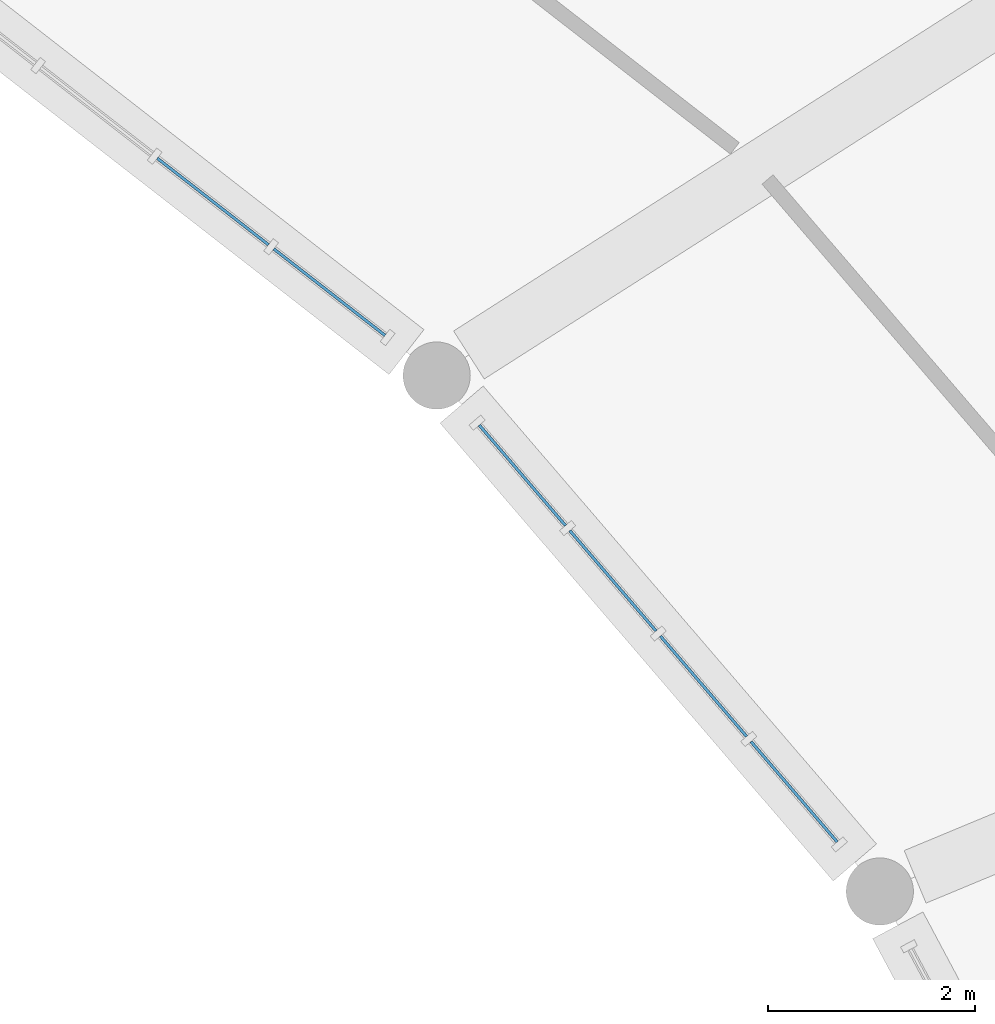
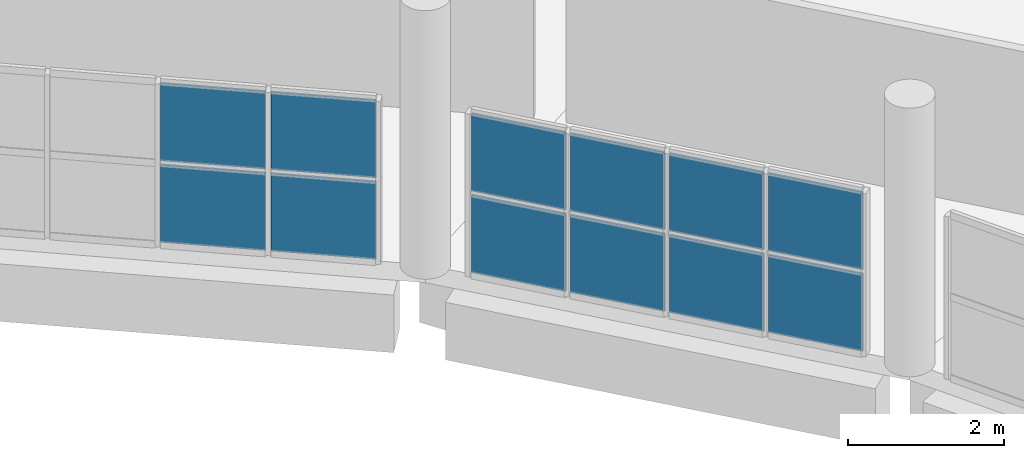
# One storey, part 78 of 142: 12 plates, 2 elements without a shape of their own.
"""IFC4 building model written with IfcOpenShell, lengths in metres."""

from ifc_helpers import new_model, si_unit, direction, frame, origin, origin_2d, place, context, subcontext, project, spatial, rectangle, extrude, material, layer, layer_set, type_object, element, aggregate, save


model = new_model("IFC4")

# Units and contexts
model_context = context("Model", 3, precision=1e-05, world=origin(), true_north=direction((0.0, 1.0)))
body_context = subcontext(model_context, "Body", "Model", "MODEL_VIEW")
ifc_project = project(units=[si_unit("LENGTHUNIT", "METRE"), si_unit("AREAUNIT", "SQUARE_METRE"), si_unit("VOLUMEUNIT", "CUBIC_METRE"), si_unit("PLANEANGLEUNIT", "RADIAN"), si_unit("MASSUNIT", "GRAM", prefix="KILO")], contexts=[model_context])

# Site, building, storey
site_placement = place(None, origin())
site = spatial("IfcSite", under=ifc_project, at=site_placement, CompositionType="ELEMENT")
building_placement = place(site_placement, origin())
building = spatial("IfcBuilding", under=site, at=building_placement, Name="Corvandel Quay Wholesale Market", CompositionType="ELEMENT")
storey_placement = place(building_placement, frame((0.0, 0.0, 10.800048828125)))
storey = spatial("IfcBuildingStorey", under=building, at=storey_placement, Name="L02", CompositionType="ELEMENT", Elevation=10.800048828125)

# Curtain wall, plates
ifc_material_1 = material(Name="Bronze anodised aluminium and low-E insulated glazing", Category="aluminium")
ifc_layer_1 = layer(ifc_material_1, 0.197998046875)
ifc_layer_set_1 = layer_set([ifc_layer_1], Name="Bronze anodised aluminium and low-E insulated glazing")
curtain_wall_type_1 = type_object("IfcCurtainWallType", Name="Stick Curtain Wall System CW24 H5160", PredefinedType="NOTDEFINED", material=ifc_layer_set_1)
curtain_wall_1_placement = place(storey_placement, origin())
curtain_wall_1 = element("IfcCurtainWall", 1, at=curtain_wall_1_placement, inside=storey, type_object=curtain_wall_type_1, Name="Curtain Wall CW-0008", PredefinedType="NOTDEFINED")
ifc_material_2 = material(Name="Solar-control low-E insulated glazing", Category="glass")
ifc_layer_2 = layer(ifc_material_2, 0.028076171875)
ifc_layer_set_2 = layer_set([ifc_layer_2], Name="Solar-control low-E insulated glazing")
plate_type = type_object("IfcPlateType", Name="Double Low-E Vision Panel PN01 28mm", PredefinedType="CURTAIN_PANEL", material=ifc_layer_set_2)
plate_1_placement = place(storey_placement, frame((147.865234375, 57.3876953125, 0.02978515625), z_axis=(0.0, 0.0, 1.0), x_axis=(-0.651568967347, 0.758589401976, 0.0)))
plate_1 = element("IfcPlate", 2, at=plate_1_placement, type_object=plate_type, Name="Glazing Panel CW-0008-P00-0", PredefinedType="CURTAIN_PANEL", context=body_context, shape_type="SweptSolid", body=[
    extrude(rectangle(XDim=1.27880859375, YDim=0.028076171875, at=origin_2d()), origin(), (0.0, 0.0, 1.0), 1.215087890625),
])
plate_2_placement = place(storey_placement, frame((147.865234375, 57.3876953125, 1.3046875), z_axis=(0.0, 0.0, 1.0), x_axis=(-0.651568967347, 0.758589401976, 0.0)))
plate_2 = element("IfcPlate", 3, at=plate_2_placement, type_object=plate_type, Name="Glazing Panel CW-0008-P00-1", PredefinedType="CURTAIN_PANEL", context=body_context, shape_type="SweptSolid", body=[
    extrude(rectangle(XDim=1.27880859375, YDim=0.028076171875, at=origin_2d()), origin(), (0.0, 0.0, 1.0), 1.215087890625),
])
plate_3_placement = place(storey_placement, frame((146.98974609375, 58.4072265625, 0.02978515625), z_axis=(0.0, 0.0, 1.0), x_axis=(-0.651568967347, 0.758589401976, 0.0)))
plate_3 = element("IfcPlate", 4, at=plate_3_placement, type_object=plate_type, Name="Glazing Panel CW-0008-P01-0", PredefinedType="CURTAIN_PANEL", context=body_context, shape_type="SweptSolid", body=[
    extrude(rectangle(XDim=1.27880859375, YDim=0.028076171875, at=origin_2d()), origin(), (0.0, 0.0, 1.0), 1.215087890625),
])
plate_4_placement = place(storey_placement, frame((146.98974609375, 58.4072265625, 1.3046875), z_axis=(0.0, 0.0, 1.0), x_axis=(-0.651568967347, 0.758589401976, 0.0)))
plate_4 = element("IfcPlate", 5, at=plate_4_placement, type_object=plate_type, Name="Glazing Panel CW-0008-P01-1", PredefinedType="CURTAIN_PANEL", context=body_context, shape_type="SweptSolid", body=[
    extrude(rectangle(XDim=1.27880859375, YDim=0.028076171875, at=origin_2d()), origin(), (0.0, 0.0, 1.0), 1.215087890625),
])
plate_5_placement = place(storey_placement, frame((146.1142578125, 59.4267578125, 0.02978515625), z_axis=(0.0, 0.0, 1.0), x_axis=(-0.651568967347, 0.758589401976, 0.0)))
plate_5 = element("IfcPlate", 6, at=plate_5_placement, type_object=plate_type, Name="Glazing Panel CW-0008-P02-0", PredefinedType="CURTAIN_PANEL", context=body_context, shape_type="SweptSolid", body=[
    extrude(rectangle(XDim=1.27880859375, YDim=0.028076171875, at=origin_2d()), origin(), (0.0, 0.0, 1.0), 1.215087890625),
])
plate_6_placement = place(storey_placement, frame((146.1142578125, 59.4267578125, 1.3046875), z_axis=(0.0, 0.0, 1.0), x_axis=(-0.651568967347, 0.758589401976, 0.0)))
plate_6 = element("IfcPlate", 7, at=plate_6_placement, type_object=plate_type, Name="Glazing Panel CW-0008-P02-1", PredefinedType="CURTAIN_PANEL", context=body_context, shape_type="SweptSolid", body=[
    extrude(rectangle(XDim=1.27880859375, YDim=0.028076171875, at=origin_2d()), origin(), (0.0, 0.0, 1.0), 1.215087890625),
])
plate_7_placement = place(storey_placement, frame((145.23876953125, 60.4462890625, 0.02978515625), z_axis=(0.0, 0.0, 1.0), x_axis=(-0.651568967347, 0.758589401976, 0.0)))
plate_7 = element("IfcPlate", 8, at=plate_7_placement, type_object=plate_type, Name="Glazing Panel CW-0008-P03-0", PredefinedType="CURTAIN_PANEL", context=body_context, shape_type="SweptSolid", body=[
    extrude(rectangle(XDim=1.27880859375, YDim=0.028076171875, at=origin_2d()), origin(), (0.0, 0.0, 1.0), 1.215087890625),
])
plate_8_placement = place(storey_placement, frame((145.23876953125, 60.4462890625, 1.3046875), z_axis=(0.0, 0.0, 1.0), x_axis=(-0.651568967347, 0.758589401976, 0.0)))
plate_8 = element("IfcPlate", 9, at=plate_8_placement, type_object=plate_type, Name="Glazing Panel CW-0008-P03-1", PredefinedType="CURTAIN_PANEL", context=body_context, shape_type="SweptSolid", body=[
    extrude(rectangle(XDim=1.27880859375, YDim=0.028076171875, at=origin_2d()), origin(), (0.0, 0.0, 1.0), 1.215087890625),
])
aggregate(curtain_wall_1, [plate_1, plate_2, plate_3, plate_4, plate_5, plate_6, plate_7, plate_8])

ifc_layer_3 = layer(ifc_material_1, 0.14990234375)
ifc_layer_set_3 = layer_set([ifc_layer_3], Name="Bronze anodised aluminium and low-E insulated glazing")
curtain_wall_type_2 = type_object("IfcCurtainWallType", Name="Stick Curtain Wall System CW25 H5250", PredefinedType="NOTDEFINED", material=ifc_layer_set_3)
curtain_wall_2_placement = place(storey_placement, origin())
curtain_wall_2 = element("IfcCurtainWall", 10, at=curtain_wall_2_placement, inside=storey, type_object=curtain_wall_type_2, Name="Curtain Wall CW-0011", PredefinedType="NOTDEFINED")
plate_9_placement = place(storey_placement, frame((143.373291015625, 62.21728515625, 0.02978515625), z_axis=(0.0, 0.0, 1.0), x_axis=(-0.789405615633, 0.613871952452, 0.0)))
plate_9 = element("IfcPlate", 11, at=plate_9_placement, type_object=plate_type, Name="Glazing Panel CW-0011-P00-0", PredefinedType="CURTAIN_PANEL", context=body_context, shape_type="SweptSolid", body=[
    extrude(rectangle(XDim=1.362060546875, YDim=0.028076171875, at=origin_2d()), origin(), (0.0, 0.0, 1.0), 1.215087890625),
])
plate_10_placement = place(storey_placement, frame((143.373291015625, 62.21728515625, 1.3046875), z_axis=(0.0, 0.0, 1.0), x_axis=(-0.789405615633, 0.613871952452, 0.0)))
plate_10 = element("IfcPlate", 12, at=plate_10_placement, type_object=plate_type, Name="Glazing Panel CW-0011-P00-1", PredefinedType="CURTAIN_PANEL", context=body_context, shape_type="SweptSolid", body=[
    extrude(rectangle(XDim=1.362060546875, YDim=0.028076171875, at=origin_2d()), origin(), (0.0, 0.0, 1.0), 1.215087890625),
])
plate_11_placement = place(storey_placement, frame((142.24658203125, 63.093505859375, 0.02978515625), z_axis=(0.0, 0.0, 1.0), x_axis=(-0.789405615633, 0.613871952452, 0.0)))
plate_11 = element("IfcPlate", 13, at=plate_11_placement, type_object=plate_type, Name="Glazing Panel CW-0011-P01-0", PredefinedType="CURTAIN_PANEL", context=body_context, shape_type="SweptSolid", body=[
    extrude(rectangle(XDim=1.362060546875, YDim=0.028076171875, at=origin_2d()), origin(), (0.0, 0.0, 1.0), 1.215087890625),
])
plate_12_placement = place(storey_placement, frame((142.24658203125, 63.093505859375, 1.3046875), z_axis=(0.0, 0.0, 1.0), x_axis=(-0.789405615633, 0.613871952452, 0.0)))
plate_12 = element("IfcPlate", 14, at=plate_12_placement, type_object=plate_type, Name="Glazing Panel CW-0011-P01-1", PredefinedType="CURTAIN_PANEL", context=body_context, shape_type="SweptSolid", body=[
    extrude(rectangle(XDim=1.362060546875, YDim=0.028076171875, at=origin_2d()), origin(), (0.0, 0.0, 1.0), 1.215087890625),
])
aggregate(curtain_wall_2, [plate_9, plate_10, plate_11, plate_12])

save(model, "model.ifc")
